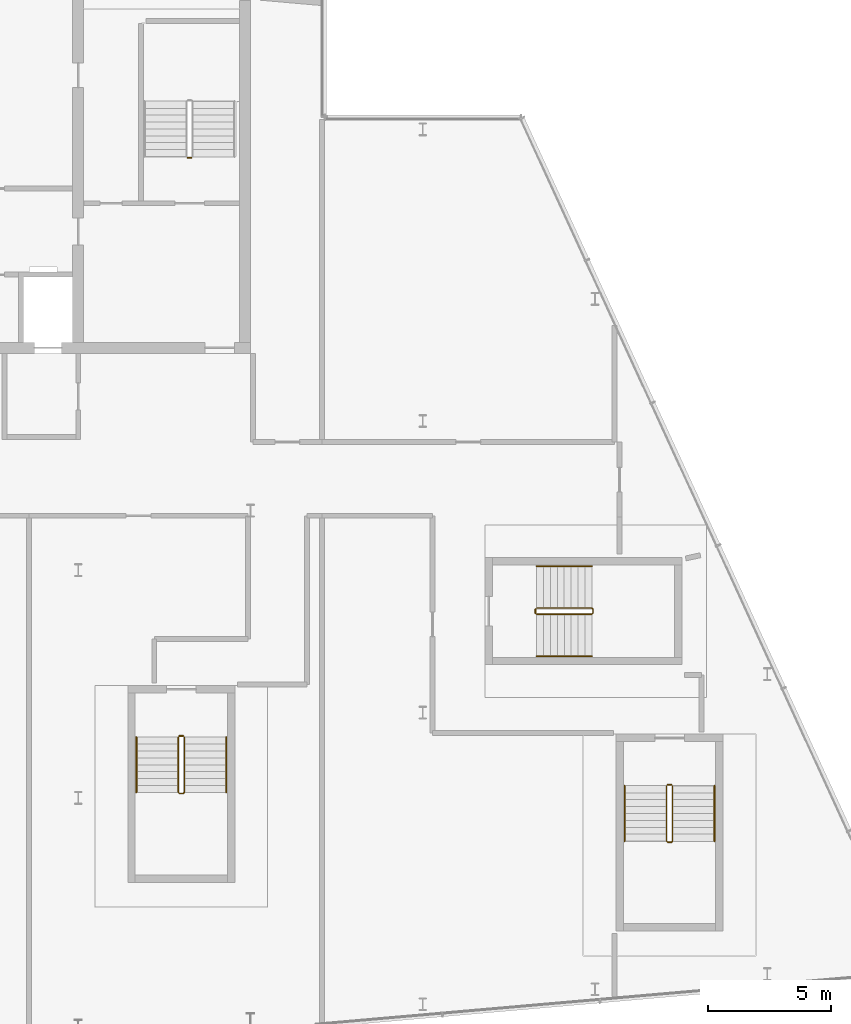
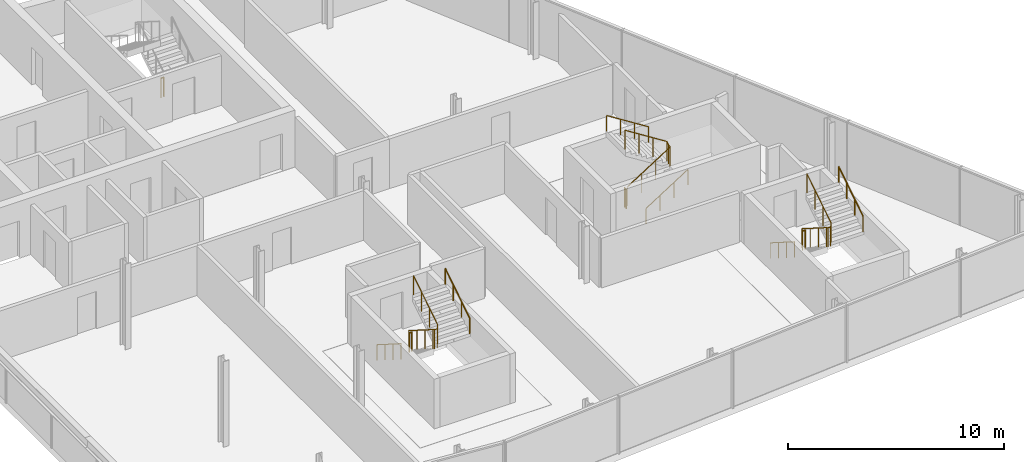
# One storey, part 12 of 13: 13 railings.
"""IFC4 building model written with IfcOpenShell, lengths in metres."""

from ifc_helpers import new_model, si_unit, direction, frame, origin, origin_2d, place, context, subcontext, project, spatial, circle, extrude, material, type_object, element, save


model = new_model("IFC4")

# Units and contexts
model_context = context("Model", 3, precision=1e-05, world=origin(), true_north=direction((0.0, 1.0)))
body_context = subcontext(model_context, "Body", "Model", "MODEL_VIEW")
ifc_project = project(units=[si_unit("LENGTHUNIT", "METRE"), si_unit("AREAUNIT", "SQUARE_METRE"), si_unit("VOLUMEUNIT", "CUBIC_METRE"), si_unit("PLANEANGLEUNIT", "RADIAN"), si_unit("MASSUNIT", "GRAM", prefix="KILO")], contexts=[model_context])

# Site, building, storey
site_placement = place(None, origin())
site = spatial("IfcSite", under=ifc_project, at=site_placement, CompositionType="ELEMENT")
building_placement = place(site_placement, origin())
building = spatial("IfcBuilding", under=site, at=building_placement, Name="Wharfspan Tower", CompositionType="ELEMENT")
storey_placement = place(building_placement, frame((0.0, 0.0, 264.300049)))
storey = spatial("IfcBuildingStorey", under=building, at=storey_placement, Name="L67", CompositionType="ELEMENT", Elevation=264.300049)

# Railings
ifc_material = material(Name="Steel S355J2", Category="steel")
railing_type_1 = type_object("IfcRailingType", Name="Stair guard 1100", PredefinedType="GUARDRAIL", material=ifc_material)
railing_1_placement = place(storey_placement, frame((48.600098, 41.949951, 0.0)))
element("IfcRailing", 1, at=railing_1_placement, inside=storey, type_object=railing_type_1, Name="L67 ST2 stair guard 2", PredefinedType="GUARDRAIL", context=body_context, shape_type="SweptSolid", body=[
    extrude(circle(Radius=0.023926, at=origin_2d()), frame((0.0, 0.0, 1.076172), z_axis=(-1.0, 0.0, 0.0), x_axis=(0.0, -1.0, 0.0)), (0.0, 0.0, 1.0), 0.150146),
    extrude(circle(Radius=0.020996, at=origin_2d()), origin(), (0.0, 0.0, 1.0), 1.052002),
    extrude(circle(Radius=0.020996, at=origin_2d()), frame((-0.150146, 0.0, 0.0)), (0.0, 0.0, 1.0), 1.052002),
])
railing_2_placement = place(storey_placement, frame((67.906738, 16.421631, 0.177734)))
element("IfcRailing", 2, at=railing_2_placement, inside=storey, type_object=railing_type_1, Name="L67 ST7 stair guard 1", PredefinedType="GUARDRAIL", context=body_context, shape_type="SweptSolid", body=[
    extrude(circle(Radius=0.023926, at=origin_2d()), frame((0.0, 0.0, 1.076172), z_axis=(0.0, -0.844229, 0.535982), x_axis=(1.0, 0.0, 0.0)), (0.0, 0.0, 1.0), 2.65332),
    extrude(circle(Radius=0.023926, at=origin_2d()), frame((0.0, -2.23999, 2.498047), z_axis=(0.707107, -0.707107, 0.0), x_axis=(0.707107, 0.707107, 0.0)), (0.0, 0.0, 1.0), 0.070312),
    extrude(circle(Radius=0.023926, at=origin_2d()), frame((0.049805, -2.289795, 2.498047), z_axis=(1.0, 0.0, 0.0), x_axis=(0.0, 1.0, 0.0)), (0.0, 0.0, 1.0), 0.150146),
    extrude(circle(Radius=0.023926, at=origin_2d()), frame((0.199951, -2.289795, 2.498047), z_axis=(0.261389, 0.260114, 0.929525), x_axis=(-0.70538, 0.708834, 1e-06)), (0.0, 0.0, 1.0), 0.191406),
    extrude(circle(Radius=0.023926, at=origin_2d()), frame((0.25, -2.23999, 2.67627), z_axis=(0.0, 0.844229, 0.535982), x_axis=(-1.0, 0.0, 0.0)), (0.0, 0.0, 1.0), 2.65332),
    extrude(circle(Radius=0.020996, at=origin_2d()), origin(), (0.0, 0.0, 1.0), 1.052002),
    extrude(circle(Radius=0.020996, at=origin_2d()), frame((0.0, -0.746582, 0.474121)), (0.0, 0.0, 1.0), 1.052002),
    extrude(circle(Radius=0.020996, at=origin_2d()), frame((0.0, -1.493408, 0.947998)), (0.0, 0.0, 1.0), 1.052002),
    extrude(circle(Radius=0.020996, at=origin_2d()), frame((0.0, -2.23999, 1.422119)), (0.0, 0.0, 1.0), 1.052002),
    extrude(circle(Radius=0.020996, at=origin_2d()), frame((0.049805, -2.289795, 1.422119)), (0.0, 0.0, 1.0), 1.052002),
    extrude(circle(Radius=0.020996, at=origin_2d()), frame((0.199951, -2.289795, 1.422119)), (0.0, 0.0, 1.0), 1.052002),
    extrude(circle(Radius=0.020996, at=origin_2d()), frame((0.25, -2.23999, 1.600098)), (0.0, 0.0, 1.0), 1.052002),
    extrude(circle(Radius=0.020996, at=origin_2d()), frame((0.25, -1.493408, 2.074219)), (0.0, 0.0, 1.0), 1.052002),
    extrude(circle(Radius=0.020996, at=origin_2d()), frame((0.25, -0.746582, 2.548096)), (0.0, 0.0, 1.0), 1.052002),
    extrude(circle(Radius=0.020996, at=origin_2d()), frame((0.25, 0.0, 3.022217)), (0.0, 0.0, 1.0), 1.052002),
])
railing_3_placement = place(storey_placement, frame((67.956543, 16.47168, 0.0)))
element("IfcRailing", 3, at=railing_3_placement, inside=storey, type_object=railing_type_1, Name="L67 ST7 stair guard 2", PredefinedType="GUARDRAIL", context=body_context, shape_type="SweptSolid", body=[
    extrude(circle(Radius=0.023926, at=origin_2d()), frame((0.0, 0.0, 1.076172), z_axis=(1.0, 0.0, 0.0), x_axis=(0.0, 1.0, 0.0)), (0.0, 0.0, 1.0), 0.150146),
    extrude(circle(Radius=0.020996, at=origin_2d()), origin(), (0.0, 0.0, 1.0), 1.052002),
    extrude(circle(Radius=0.020996, at=origin_2d()), frame((0.150146, 0.0, 0.0)), (0.0, 0.0, 1.0), 1.052002),
])
railing_4_placement = place(storey_placement, frame((62.631592, 23.396729, 0.177734)))
element("IfcRailing", 4, at=railing_4_placement, inside=storey, type_object=railing_type_1, Name="L67 ST8 stair guard 1", PredefinedType="GUARDRAIL", context=body_context, shape_type="SweptSolid", body=[
    extrude(circle(Radius=0.023926, at=origin_2d()), frame((0.0, 0.0, 1.076172), z_axis=(0.844229, 0.0, 0.535982), x_axis=(0.0, 1.0, 0.0)), (0.0, 0.0, 1.0), 2.65332),
    extrude(circle(Radius=0.023926, at=origin_2d()), frame((2.23999, 0.0, 2.498047), z_axis=(0.707107, 0.707107, 0.0), x_axis=(-0.707107, 0.707107, 0.0)), (0.0, 0.0, 1.0), 0.070801),
    extrude(circle(Radius=0.023926, at=origin_2d()), frame((2.290039, 0.050049, 2.498047), z_axis=(0.0, 1.0, 0.0), x_axis=(-1.0, 0.0, 0.0)), (0.0, 0.0, 1.0), 0.149902),
    extrude(circle(Radius=0.023926, at=origin_2d()), frame((2.290039, 0.199951, 2.498047), z_axis=(-0.261302, 0.261302, 0.929216), x_axis=(-0.707107, -0.707107, 0.0)), (0.0, 0.0, 1.0), 0.19165),
    extrude(circle(Radius=0.023926, at=origin_2d()), frame((2.23999, 0.25, 2.67627), z_axis=(-0.844229, 0.0, 0.535982), x_axis=(0.0, -1.0, 0.0)), (0.0, 0.0, 1.0), 2.65332),
    extrude(circle(Radius=0.020996, at=origin_2d()), origin(), (0.0, 0.0, 1.0), 1.052002),
    extrude(circle(Radius=0.020996, at=origin_2d()), frame((0.746582, 0.0, 0.474121)), (0.0, 0.0, 1.0), 1.052002),
    extrude(circle(Radius=0.020996, at=origin_2d()), frame((1.493408, 0.0, 0.947998)), (0.0, 0.0, 1.0), 1.052002),
    extrude(circle(Radius=0.020996, at=origin_2d()), frame((2.23999, 0.0, 1.422119)), (0.0, 0.0, 1.0), 1.052002),
    extrude(circle(Radius=0.020996, at=origin_2d()), frame((2.290039, 0.050049, 1.422119)), (0.0, 0.0, 1.0), 1.052002),
    extrude(circle(Radius=0.020996, at=origin_2d()), frame((2.290039, 0.199951, 1.422119)), (0.0, 0.0, 1.0), 1.052002),
    extrude(circle(Radius=0.020996, at=origin_2d()), frame((2.23999, 0.25, 1.600098)), (0.0, 0.0, 1.0), 1.052002),
    extrude(circle(Radius=0.020996, at=origin_2d()), frame((1.493408, 0.25, 2.074219)), (0.0, 0.0, 1.0), 1.052002),
    extrude(circle(Radius=0.020996, at=origin_2d()), frame((0.746582, 0.25, 2.548096)), (0.0, 0.0, 1.0), 1.052002),
    extrude(circle(Radius=0.020996, at=origin_2d()), frame((0.0, 0.25, 3.022217)), (0.0, 0.0, 1.0), 1.052002),
])
railing_5_placement = place(storey_placement, frame((62.581543, 23.446777, 0.0)))
element("IfcRailing", 5, at=railing_5_placement, inside=storey, type_object=railing_type_1, Name="L67 ST8 stair guard 2", PredefinedType="GUARDRAIL", context=body_context, shape_type="SweptSolid", body=[
    extrude(circle(Radius=0.023926, at=origin_2d()), frame((0.0, 0.0, 1.076172), z_axis=(0.0, 1.0, 0.0), x_axis=(-1.0, 0.0, 0.0)), (0.0, 0.0, 1.0), 0.149902),
    extrude(circle(Radius=0.020996, at=origin_2d()), origin(), (0.0, 0.0, 1.0), 1.052002),
    extrude(circle(Radius=0.020996, at=origin_2d()), frame((0.0, 0.149902, 0.0)), (0.0, 0.0, 1.0), 1.052002),
])
railing_6_placement = place(storey_placement, frame((48.066162, 18.400391, 0.177734)))
element("IfcRailing", 6, at=railing_6_placement, inside=storey, type_object=railing_type_1, Name="L67 ST9 stair guard 1", PredefinedType="GUARDRAIL", context=body_context, shape_type="SweptSolid", body=[
    extrude(circle(Radius=0.023926, at=origin_2d()), frame((0.0, 0.0, 1.076172), z_axis=(0.0, -0.844229, 0.535982), x_axis=(1.0, 0.0, 0.0)), (0.0, 0.0, 1.0), 2.65332),
    extrude(circle(Radius=0.023926, at=origin_2d()), frame((0.0, -2.23999, 2.498047), z_axis=(0.705376, -0.708834, 0.0), x_axis=(0.708834, 0.705376, 0.0)), (0.0, 0.0, 1.0), 0.070557),
    extrude(circle(Radius=0.023926, at=origin_2d()), frame((0.049805, -2.290039, 2.498047), z_axis=(1.0, 0.0, 0.0), x_axis=(0.0, 1.0, 0.0)), (0.0, 0.0, 1.0), 0.150146),
    extrude(circle(Radius=0.023926, at=origin_2d()), frame((0.199951, -2.290039, 2.498047), z_axis=(0.261302, 0.261302, 0.929216), x_axis=(-0.707107, 0.707107, 0.0)), (0.0, 0.0, 1.0), 0.19165),
    extrude(circle(Radius=0.023926, at=origin_2d()), frame((0.25, -2.23999, 2.67627), z_axis=(0.0, 0.844229, 0.535982), x_axis=(-1.0, 0.0, 0.0)), (0.0, 0.0, 1.0), 2.65332),
    extrude(circle(Radius=0.020996, at=origin_2d()), origin(), (0.0, 0.0, 1.0), 1.052002),
    extrude(circle(Radius=0.020996, at=origin_2d()), frame((0.0, -0.746582, 0.474121)), (0.0, 0.0, 1.0), 1.052002),
    extrude(circle(Radius=0.020996, at=origin_2d()), frame((0.0, -1.493408, 0.947998)), (0.0, 0.0, 1.0), 1.052002),
    extrude(circle(Radius=0.020996, at=origin_2d()), frame((0.0, -2.23999, 1.422119)), (0.0, 0.0, 1.0), 1.052002),
    extrude(circle(Radius=0.020996, at=origin_2d()), frame((0.049805, -2.290039, 1.422119)), (0.0, 0.0, 1.0), 1.052002),
    extrude(circle(Radius=0.020996, at=origin_2d()), frame((0.199951, -2.290039, 1.422119)), (0.0, 0.0, 1.0), 1.052002),
    extrude(circle(Radius=0.020996, at=origin_2d()), frame((0.25, -2.23999, 1.600098)), (0.0, 0.0, 1.0), 1.052002),
    extrude(circle(Radius=0.020996, at=origin_2d()), frame((0.25, -1.493408, 2.074219)), (0.0, 0.0, 1.0), 1.052002),
    extrude(circle(Radius=0.020996, at=origin_2d()), frame((0.25, -0.746582, 2.548096)), (0.0, 0.0, 1.0), 1.052002),
    extrude(circle(Radius=0.020996, at=origin_2d()), frame((0.25, 0.0, 3.022217)), (0.0, 0.0, 1.0), 1.052002),
])
railing_7_placement = place(storey_placement, frame((48.115967, 18.450439, 0.0)))
element("IfcRailing", 7, at=railing_7_placement, inside=storey, type_object=railing_type_1, Name="L67 ST9 stair guard 2", PredefinedType="GUARDRAIL", context=body_context, shape_type="SweptSolid", body=[
    extrude(circle(Radius=0.023926, at=origin_2d()), frame((0.0, 0.0, 1.076172), z_axis=(1.0, 0.0, 0.0), x_axis=(0.0, 1.0, 0.0)), (0.0, 0.0, 1.0), 0.150146),
    extrude(circle(Radius=0.020996, at=origin_2d()), origin(), (0.0, 0.0, 1.0), 1.052002),
    extrude(circle(Radius=0.020996, at=origin_2d()), frame((0.150146, 0.0, 0.0)), (0.0, 0.0, 1.0), 1.052002),
])
railing_type_2 = type_object("IfcRailingType", Name="Stair handrail 900", PredefinedType="HANDRAIL", material=ifc_material)
railing_8_placement = place(storey_placement, frame((66.206543, 16.421631, 0.177734)))
element("IfcRailing", 8, at=railing_8_placement, inside=storey, type_object=railing_type_2, Name="L67 ST7 stair handrail 1", PredefinedType="HANDRAIL", context=body_context, shape_type="SweptSolid", body=[
    extrude(circle(Radius=0.023926, at=origin_2d()), frame((0.0, 0.0, 0.875977), z_axis=(0.0, -0.844229, 0.535982), x_axis=(1.0, 0.0, 0.0)), (0.0, 0.0, 1.0), 2.65332),
    extrude(circle(Radius=0.020996, at=origin_2d()), origin(), (0.0, 0.0, 1.0), 0.851807),
    extrude(circle(Radius=0.020996, at=origin_2d()), frame((0.0, -0.746582, 0.474121)), (0.0, 0.0, 1.0), 0.851807),
    extrude(circle(Radius=0.020996, at=origin_2d()), frame((0.0, -1.493408, 0.947998)), (0.0, 0.0, 1.0), 0.851807),
    extrude(circle(Radius=0.020996, at=origin_2d()), frame((0.0, -2.23999, 1.422119)), (0.0, 0.0, 1.0), 0.851807),
])
railing_9_placement = place(storey_placement, frame((69.856689, 14.181641, 1.777832)))
element("IfcRailing", 9, at=railing_9_placement, inside=storey, type_object=railing_type_2, Name="L67 ST7 stair handrail 2", PredefinedType="HANDRAIL", context=body_context, shape_type="SweptSolid", body=[
    extrude(circle(Radius=0.023926, at=origin_2d()), frame((0.0, 0.0, 0.875977), z_axis=(0.0, 0.844229, 0.535982), x_axis=(-1.0, 0.0, 0.0)), (0.0, 0.0, 1.0), 2.65332),
    extrude(circle(Radius=0.020996, at=origin_2d()), origin(), (0.0, 0.0, 1.0), 0.851807),
    extrude(circle(Radius=0.020996, at=origin_2d()), frame((0.0, 0.746582, 0.474121)), (0.0, 0.0, 1.0), 0.851807),
    extrude(circle(Radius=0.020996, at=origin_2d()), frame((0.0, 1.493408, 0.947998)), (0.0, 0.0, 1.0), 0.851807),
    extrude(circle(Radius=0.020996, at=origin_2d()), frame((0.0, 2.23999, 1.422119)), (0.0, 0.0, 1.0), 0.851807),
])
railing_10_placement = place(storey_placement, frame((62.631592, 21.696777, 0.177734)))
element("IfcRailing", 10, at=railing_10_placement, inside=storey, type_object=railing_type_2, Name="L67 ST8 stair handrail 1", PredefinedType="HANDRAIL", context=body_context, shape_type="SweptSolid", body=[
    extrude(circle(Radius=0.023926, at=origin_2d()), frame((0.0, 0.0, 0.875977), z_axis=(0.844229, 0.0, 0.535982), x_axis=(0.0, 1.0, 0.0)), (0.0, 0.0, 1.0), 2.65332),
    extrude(circle(Radius=0.020996, at=origin_2d()), origin(), (0.0, 0.0, 1.0), 0.851807),
    extrude(circle(Radius=0.020996, at=origin_2d()), frame((0.746582, 0.0, 0.474121)), (0.0, 0.0, 1.0), 0.851807),
    extrude(circle(Radius=0.020996, at=origin_2d()), frame((1.493408, 0.0, 0.947998)), (0.0, 0.0, 1.0), 0.851807),
    extrude(circle(Radius=0.020996, at=origin_2d()), frame((2.23999, 0.0, 1.422119)), (0.0, 0.0, 1.0), 0.851807),
])
railing_11_placement = place(storey_placement, frame((64.871582, 25.34668, 1.777832)))
element("IfcRailing", 11, at=railing_11_placement, inside=storey, type_object=railing_type_2, Name="L67 ST8 stair handrail 2", PredefinedType="HANDRAIL", context=body_context, shape_type="SweptSolid", body=[
    extrude(circle(Radius=0.023926, at=origin_2d()), frame((0.0, 0.0, 0.875977), z_axis=(-0.844229, 0.0, 0.535982), x_axis=(0.0, -1.0, 0.0)), (0.0, 0.0, 1.0), 2.65332),
    extrude(circle(Radius=0.020996, at=origin_2d()), origin(), (0.0, 0.0, 1.0), 0.851807),
    extrude(circle(Radius=0.020996, at=origin_2d()), frame((-0.746582, 0.0, 0.474121)), (0.0, 0.0, 1.0), 0.851807),
    extrude(circle(Radius=0.020996, at=origin_2d()), frame((-1.493408, 0.0, 0.947998)), (0.0, 0.0, 1.0), 0.851807),
    extrude(circle(Radius=0.020996, at=origin_2d()), frame((-2.23999, 0.0, 1.422119)), (0.0, 0.0, 1.0), 0.851807),
])
railing_12_placement = place(storey_placement, frame((46.365967, 18.400391, 0.177734)))
element("IfcRailing", 12, at=railing_12_placement, inside=storey, type_object=railing_type_2, Name="L67 ST9 stair handrail 1", PredefinedType="HANDRAIL", context=body_context, shape_type="SweptSolid", body=[
    extrude(circle(Radius=0.023926, at=origin_2d()), frame((0.0, 0.0, 0.875977), z_axis=(0.0, -0.844229, 0.535982), x_axis=(1.0, 0.0, 0.0)), (0.0, 0.0, 1.0), 2.65332),
    extrude(circle(Radius=0.020996, at=origin_2d()), origin(), (0.0, 0.0, 1.0), 0.851807),
    extrude(circle(Radius=0.020996, at=origin_2d()), frame((0.0, -0.746582, 0.474121)), (0.0, 0.0, 1.0), 0.851807),
    extrude(circle(Radius=0.020996, at=origin_2d()), frame((0.0, -1.493408, 0.947998)), (0.0, 0.0, 1.0), 0.851807),
    extrude(circle(Radius=0.020996, at=origin_2d()), frame((0.0, -2.23999, 1.422119)), (0.0, 0.0, 1.0), 0.851807),
])
railing_13_placement = place(storey_placement, frame((50.016113, 16.1604, 1.777832)))
element("IfcRailing", 13, at=railing_13_placement, inside=storey, type_object=railing_type_2, Name="L67 ST9 stair handrail 2", PredefinedType="HANDRAIL", context=body_context, shape_type="SweptSolid", body=[
    extrude(circle(Radius=0.023926, at=origin_2d()), frame((0.0, 0.0, 0.875977), z_axis=(0.0, 0.844229, 0.535982), x_axis=(-1.0, 0.0, 0.0)), (0.0, 0.0, 1.0), 2.65332),
    extrude(circle(Radius=0.020996, at=origin_2d()), origin(), (0.0, 0.0, 1.0), 0.851807),
    extrude(circle(Radius=0.020996, at=origin_2d()), frame((0.0, 0.746582, 0.474121)), (0.0, 0.0, 1.0), 0.851807),
    extrude(circle(Radius=0.020996, at=origin_2d()), frame((0.0, 1.493408, 0.947998)), (0.0, 0.0, 1.0), 0.851807),
    extrude(circle(Radius=0.020996, at=origin_2d()), frame((0.0, 2.23999, 1.422119)), (0.0, 0.0, 1.0), 0.851807),
])

save(model, "model.ifc")
